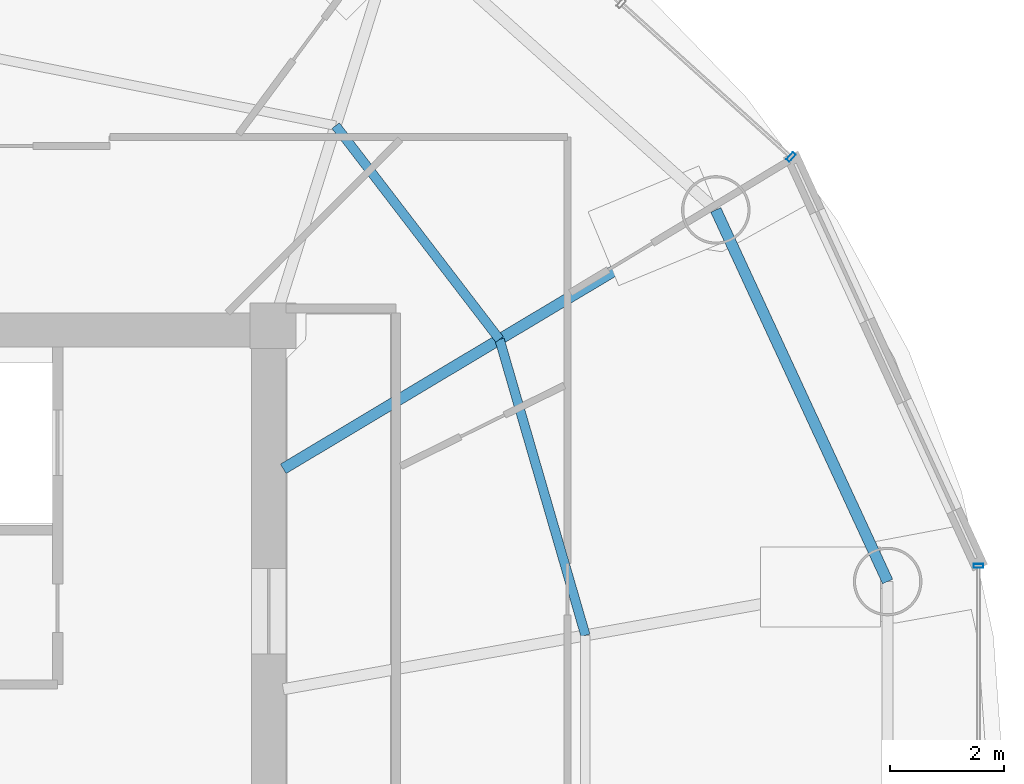
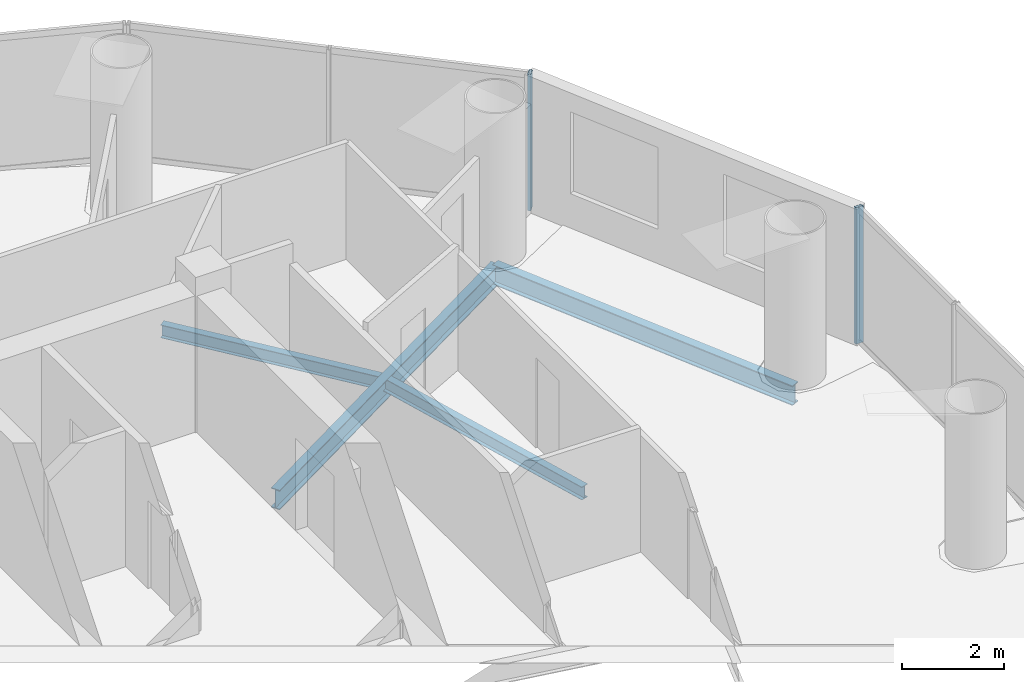
# One storey, part 13 of 26: 4 beams, 2 members, 2 elements without a shape of their own.
"""IFC4 building model written with IfcOpenShell, lengths in metres."""

from ifc_helpers import new_model, si_unit, direction, frame, origin, origin_2d, place, context, subcontext, project, spatial, hollow_rectangle, i_section, extrude, source, transform, mapped, material, material_profile, profile_set, type_object, element, aggregate, save


model = new_model("IFC4")

# Units and contexts
model_context = context("Model", 3, precision=1e-05, world=origin(), true_north=direction((-0.2419218956, 0.970295726276)))
body_context = subcontext(model_context, "Body", "Model", "MODEL_VIEW")
ifc_project = project(units=[si_unit("LENGTHUNIT", "METRE"), si_unit("AREAUNIT", "SQUARE_METRE"), si_unit("VOLUMEUNIT", "CUBIC_METRE"), si_unit("PLANEANGLEUNIT", "RADIAN"), si_unit("MASSUNIT", "GRAM", prefix="KILO")], contexts=[model_context])

# Site, building, storey
site_placement = place(None, origin())
site = spatial("IfcSite", under=ifc_project, at=site_placement, CompositionType="ELEMENT")
building_placement = place(site_placement, origin())
building = spatial("IfcBuilding", under=site, at=building_placement, Name="Cobrevalo Terracotta Tower", CompositionType="ELEMENT")
storey_placement = place(building_placement, frame((0.0, 0.0, 239.300048828125)))
storey = spatial("IfcBuildingStorey", under=building, at=storey_placement, Name="L63", CompositionType="ELEMENT", Elevation=239.300048828125)

# Beams
ifc_material_1 = material(Name="Steel S355", Category="steel")
ifc_material_profile_1 = material_profile(ifc_material_1, i_section(OverallWidth=0.194091796875, OverallDepth=0.468994140625, WebThickness=0.011474609375, FlangeThickness=0.0205078125, at=origin_2d()), Name="W 460x106")
ifc_profile_set_1 = profile_set([ifc_material_profile_1], Name="Steel S355")
beam_type_1 = type_object("IfcBeamType", Name="Structural Beam W 460x106 (Steel S355)", PredefinedType="BEAM", material=ifc_profile_set_1)
beam_1_placement = place(storey_placement, frame((54.754150390625, 36.828125, -0.49951171875), z_axis=(-0.858046392192, -0.513572184651, 0.0), x_axis=(0.513572184651, -0.858046392192, 0.0)))
element("IfcBeam", 1, at=beam_1_placement, inside=storey, type_object=beam_type_1, Name="L63 radial floor girder 02", PredefinedType="BEAM", context=body_context, shape_type="SweptSolid", body=[
    extrude(i_section(OverallWidth=0.194091796875, OverallDepth=0.468994140625, WebThickness=0.011474609375, FlangeThickness=0.0205078125, at=origin_2d()), origin(), (0.0, 0.0, 1.0), 8.827392578125),
])
ifc_material_profile_2 = material_profile(ifc_material_1, i_section(OverallWidth=0.1650390625, OverallDepth=0.31005859375, WebThickness=0.005859375, FlangeThickness=0.009765625, at=origin_2d()), Name="W 310x38.7")
ifc_profile_set_2 = profile_set([ifc_material_profile_2], Name="Steel S355")
beam_type_2 = type_object("IfcBeamType", Name="Structural Joist W 310x38.7 (Steel S355)", PredefinedType="JOIST", material=ifc_profile_set_2)
beam_2_placement = place(storey_placement, frame((52.471435546875, 29.378662109375, -0.420166015625), z_axis=(-0.278769817131, 0.960357948401, 0.0), x_axis=(-0.960357948401, -0.278769817131, 0.0)))
element("IfcBeam", 2, at=beam_2_placement, inside=storey, type_object=beam_type_2, Name="L63 circumferential secondary floor joist 01", PredefinedType="JOIST", context=body_context, shape_type="SweptSolid", body=[
    extrude(i_section(OverallWidth=0.1650390625, OverallDepth=0.31005859375, WebThickness=0.005859375, FlangeThickness=0.009765625, at=origin_2d()), origin(), (0.0, 0.0, 1.0), 5.396484375),
])
beam_3_placement = place(storey_placement, frame((50.967041015625, 34.561279296875, -0.420166015625), z_axis=(-0.608464146296, 0.793581364872, 0.0), x_axis=(-0.793581364872, -0.608464146296, 0.0)))
element("IfcBeam", 3, at=beam_3_placement, inside=storey, type_object=beam_type_2, Name="L63 circumferential secondary floor joist 02", PredefinedType="JOIST", context=body_context, shape_type="SweptSolid", body=[
    extrude(i_section(OverallWidth=0.1650390625, OverallDepth=0.31005859375, WebThickness=0.005859375, FlangeThickness=0.009765625, at=origin_2d()), origin(), (0.0, 0.0, 1.0), 4.716064453125),
])
ifc_material_profile_3 = material_profile(ifc_material_1, i_section(OverallWidth=0.194091796875, OverallDepth=0.468994140625, WebThickness=0.011474609375, FlangeThickness=0.0205078125, at=origin_2d()), Name="W 460x106")
ifc_profile_set_3 = profile_set([ifc_material_profile_3], Name="Steel S355")
beam_type_3 = type_object("IfcBeamType", Name="Structural Spandrel W 460x106 (Steel S355)", PredefinedType="SPANDREL", material=ifc_profile_set_3)
beam_4_placement = place(storey_placement, frame((57.762939453125, 30.3212890625, -0.49951171875), z_axis=(-0.419705965131, 0.907660125176, 0.0), x_axis=(-0.907660125176, -0.419705965131, 0.0)))
element("IfcBeam", 4, at=beam_4_placement, inside=storey, type_object=beam_type_3, Name="L63 perimeter ring spandrel 01", PredefinedType="SPANDREL", context=body_context, shape_type="SweptSolid", body=[
    extrude(i_section(OverallWidth=0.194091796875, OverallDepth=0.468994140625, WebThickness=0.011474609375, FlangeThickness=0.0205078125, at=origin_2d()), origin(), (0.0, 0.0, 1.0), 7.168701171875),
])

# Curtain wall, member
ifc_material_2 = material(Name="Anodized aluminium", Category="aluminium")
curtain_wall_type = type_object("IfcCurtainWallType", Name="Mid-tower high-wind unitised curtain wall CW-U2", PredefinedType="NOTDEFINED", material=ifc_material_2)
curtain_wall_1_placement = place(storey_placement, origin())
curtain_wall_1 = element("IfcCurtainWall", 5, at=curtain_wall_1_placement, inside=storey, type_object=curtain_wall_type, Name="L63 curtain wall CW-L63-S02", PredefinedType="NOTDEFINED")
ifc_material_profile_4 = material_profile(ifc_material_2, hollow_rectangle(XDim=0.070068359375, YDim=0.169921875, WallThickness=0.00439453125, at=origin_2d()), Name="CWM 70x170")
ifc_profile_set_4 = profile_set([ifc_material_profile_4], Name="Anodized aluminium")
member_type = type_object("IfcMemberType", Name="Upper tower unitised mullion 70x170", PredefinedType="MULLION", material=ifc_profile_set_4)
shared_shape = source(origin(), body_context, "Body", "SweptSolid", [
    extrude(hollow_rectangle(XDim=0.070068359375, YDim=0.169921875, WallThickness=0.00439453125, at=origin_2d()), origin(), (0.0, 0.0, 1.0), 3.25),
])
member_1_placement = place(storey_placement, frame((56.071533203125, 37.7548828125, 0.0), z_axis=(0.0, 0.0, 1.0), x_axis=(-0.741987542015, 0.670413668935, 0.0)))
member_1 = element("IfcMember", 6, at=member_1_placement, type_object=member_type, Name="CW-L63-S02 vertical mullion 01", PredefinedType="MULLION", context=body_context, shape_type="MappedRepresentation", body=[
    mapped(shared_shape, transform((0.0, 0.0, 0.0), scale=1.0)),
])
aggregate(curtain_wall_1, [member_1])

curtain_wall_2_placement = place(storey_placement, origin())
curtain_wall_2 = element("IfcCurtainWall", 7, at=curtain_wall_2_placement, inside=storey, type_object=curtain_wall_type, Name="L63 curtain wall CW-L63-S16", PredefinedType="NOTDEFINED")
member_2_placement = place(storey_placement, frame((59.351806640625, 30.597412109375, 0.0), z_axis=(0.0, 0.0, 1.0), x_axis=(0.0, 1.0, 0.0)))
member_2 = element("IfcMember", 8, at=member_2_placement, type_object=member_type, Name="CW-L63-S16 vertical mullion 03", PredefinedType="MULLION", context=body_context, shape_type="MappedRepresentation", body=[
    mapped(shared_shape, transform((0.0, 0.0, 0.0), scale=1.0)),
])
aggregate(curtain_wall_2, [member_2])

save(model, "model.ifc")
